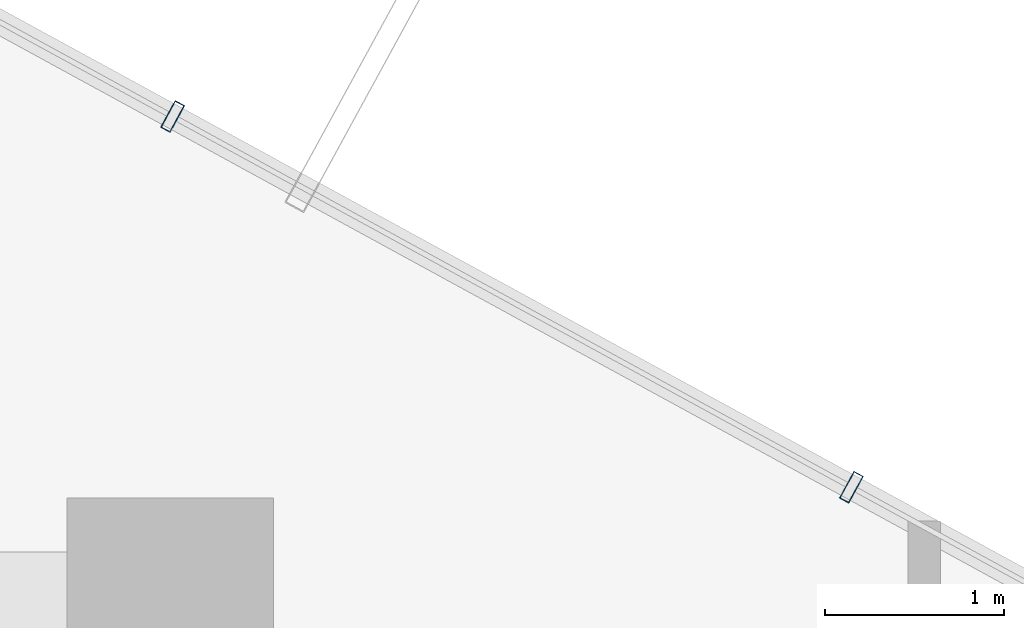
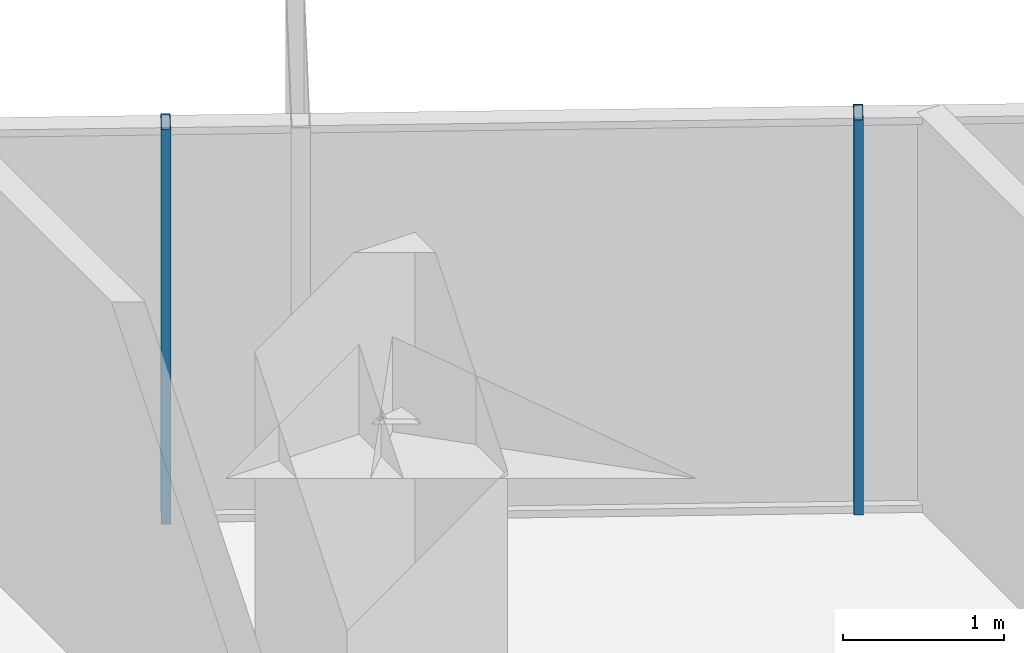
# One storey, part 21 of 31: 2 members, 1 element without a shape of its own.
"""IFC4 building model written with IfcOpenShell, lengths in metres."""

import ifcopenshell
import ifcopenshell.guid

model = None  # the IFC model being written
_history = None  # IfcOwnerHistory: only IFC2X3 demands one
_inside = {}  # id of a spatial element -> (the spatial element, [elements in it])
_under = {}  # id of a project, library or spatial element -> (it, [spatial elements below it])
_declared = {}  # id of a project -> (the project, [libraries it declares])
_typed = {}  # id of a type object -> (the type object, [elements of that type])
_made_of = {}  # id of a material, layer set ... -> (it, [elements and type objects made of it])


def new_model(schema):
    """Start an empty IFC model of exactly this schema.

    Asked for "IFC4X3", IfcOpenShell would pick the latest addendum, in which some entities
    have other attributes; the version numbers below select the first issue.
    IFC2X3 requires an IfcOwnerHistory on every rooted entity: one is made here for all.
    """
    global model, _history
    if schema == "IFC4X3":
        model = ifcopenshell.file(schema_version=(4, 3, 0, 0))
    else:
        model = ifcopenshell.file(schema=schema)
    _inside.clear()
    _under.clear()
    _declared.clear()
    _typed.clear()
    _made_of.clear()
    _history = None
    if model.schema == "IFC2X3":
        org = make("IfcOrganization", Name="unknown")
        user = make(
            "IfcPersonAndOrganization",
            ThePerson=make("IfcPerson", FamilyName="unknown"),
            TheOrganization=org,
        )
        app = make(
            "IfcApplication",
            ApplicationDeveloper=org,
            Version="unknown",
            ApplicationFullName="unknown",
            ApplicationIdentifier="unknown",
        )
        _history = make(
            "IfcOwnerHistory",
            OwningUser=user,
            OwningApplication=app,
            ChangeAction="ADDED",
            CreationDate=0,
        )
    return model


def make(cls, **values):
    """One entity of the class cls with the attributes given. An attribute that is None is left unset."""
    return model.create_entity(
        cls, **{name: value for name, value in values.items() if value is not None}
    )


def rooted(cls, **values):
    """An entity with a GlobalId (a new one), such as an element, a storey or a relation."""
    return make(cls, GlobalId=ifcopenshell.guid.new(), OwnerHistory=_history, **values)


def si_unit(unit_type, name, prefix=None):
    """IfcSIUnit, for example si_unit("LENGTHUNIT", "METRE", prefix="MILLI")."""
    return make("IfcSIUnit", UnitType=unit_type, Prefix=prefix, Name=name)


def assignment(units):
    """IfcUnitAssignment: the units of a project."""
    return None if units is None else make("IfcUnitAssignment", Units=units)


def point(xyz):
    """IfcCartesianPoint."""
    return None if xyz is None else make("IfcCartesianPoint", Coordinates=xyz)


def direction(xyz):
    """IfcDirection."""
    return None if xyz is None else make("IfcDirection", DirectionRatios=xyz)


def frame(location, z_axis=None, x_axis=None):
    """IfcAxis2Placement3D, a coordinate frame: its origin and axes. An axis left out is left unset."""
    return make(
        "IfcAxis2Placement3D",
        Location=point(location),
        Axis=direction(z_axis),
        RefDirection=direction(x_axis),
    )


def frame_2d(location, x_axis=None):
    """IfcAxis2Placement2D, a coordinate frame in the plane: its origin and x axis."""
    return make(
        "IfcAxis2Placement2D", Location=point(location), RefDirection=direction(x_axis)
    )


def origin():
    """The frame at (0, 0, 0) with its axes left unset."""
    return frame((0.0, 0.0, 0.0))


def origin_2d():
    """The frame at (0, 0) in the plane with its x axis left unset."""
    return frame_2d((0.0, 0.0))


def place(relative_to, where):
    """IfcLocalPlacement: puts the frame where relative to a parent placement (None: the world)."""
    return make(
        "IfcLocalPlacement", PlacementRelTo=relative_to, RelativePlacement=where
    )


def context(
    kind, dimensions, precision=None, world=None, true_north=None, identifier=None
):
    """IfcGeometricRepresentationContext, for example the 3D "Model" context."""
    return make(
        "IfcGeometricRepresentationContext",
        ContextIdentifier=identifier,
        ContextType=kind,
        CoordinateSpaceDimension=dimensions,
        Precision=precision,
        WorldCoordinateSystem=world,
        TrueNorth=true_north,
    )


def subcontext(parent, identifier, kind, view, scale=None):
    """IfcGeometricRepresentationSubContext, for example "Body" below "Model"."""
    return make(
        "IfcGeometricRepresentationSubContext",
        ContextIdentifier=identifier,
        ContextType=kind,
        ParentContext=parent,
        TargetScale=scale,
        TargetView=view,
    )


def project(units=None, contexts=None):
    """IfcProject with its units and contexts."""
    return rooted(
        "IfcProject",
        Name="project",
        RepresentationContexts=contexts,
        UnitsInContext=assignment(units),
    )


def spatial(cls, under=None, at=None, **own):
    """A site, building, storey or space (cls), placed at a placement, below another one or the project."""
    s = rooted(cls, ObjectPlacement=at, **own)
    if under is not None:
        _under.setdefault(under.id(), (under, []))[1].append(s)
    return s


def profile(cls, at=None, kind="AREA", **sizes):
    """A parametric profile (cls). Its sizes go by their IFC names, for example OverallWidth=200.0."""
    return make(cls, ProfileType=kind, Position=at, **sizes)


def hollow_rectangle(**sizes):
    """IfcRectangleHollowProfileDef."""
    return profile("IfcRectangleHollowProfileDef", **sizes)


def extrude(swept, where, along, depth):
    """IfcExtrudedAreaSolid: the profile swept, set in the frame where, extruded along a direction by depth."""
    return make(
        "IfcExtrudedAreaSolid",
        SweptArea=swept,
        Position=where,
        ExtrudedDirection=direction(along),
        Depth=depth,
    )


def shape(context_of_items, identifier, shape_type, items):
    """IfcShapeRepresentation: the items that make up one representation, for example the "Body"."""
    return make(
        "IfcShapeRepresentation",
        ContextOfItems=context_of_items,
        RepresentationIdentifier=identifier,
        RepresentationType=shape_type,
        Items=items,
    )


def source(mapping_origin, context_of_items, identifier, shape_type, items):
    """IfcRepresentationMap: a shape defined once, which mapped items show again and again."""
    return make(
        "IfcRepresentationMap",
        MappingOrigin=mapping_origin,
        MappedRepresentation=shape(context_of_items, identifier, shape_type, items),
    )


def transform(
    local_origin,
    x_axis=None,
    y_axis=None,
    z_axis=None,
    scale=None,
    scale2=None,
    scale3=None,
    uniform=True,
):
    """IfcCartesianTransformationOperator3D, or its non-uniform kind. x_axis, y_axis, z_axis: its Axis1, 2, 3."""
    if uniform:
        return make(
            "IfcCartesianTransformationOperator3D",
            Axis1=direction(x_axis),
            Axis2=direction(y_axis),
            LocalOrigin=point(local_origin),
            Scale=scale,
            Axis3=direction(z_axis),
        )
    return make(
        "IfcCartesianTransformationOperator3DnonUniform",
        Axis1=direction(x_axis),
        Axis2=direction(y_axis),
        LocalOrigin=point(local_origin),
        Scale=scale,
        Axis3=direction(z_axis),
        Scale2=scale2,
        Scale3=scale3,
    )


def mapped(mapping_source, mapping_target):
    """IfcMappedItem: shows the shape of a source again, moved by a transform."""
    return make(
        "IfcMappedItem", MappingSource=mapping_source, MappingTarget=mapping_target
    )


def material(Name=None, Category=None):
    """IfcMaterial."""
    return make("IfcMaterial", Name=Name, Category=Category)


def layer(
    of_material, thickness, ventilated=None, Name=None, Category=None, Priority=None
):
    """IfcMaterialLayer: one layer of a wall or slab, of a material (None: an air gap)."""
    return make(
        "IfcMaterialLayer",
        Material=of_material,
        LayerThickness=thickness,
        IsVentilated=ventilated,
        Name=Name,
        Category=Category,
        Priority=Priority,
    )


def layer_set(layers, Name=None):
    """IfcMaterialLayerSet."""
    return make("IfcMaterialLayerSet", MaterialLayers=layers, LayerSetName=Name)


def material_profile(
    of_material, cross_section, Name=None, Category=None, Priority=None
):
    """IfcMaterialProfile: a cross section and its material."""
    return make(
        "IfcMaterialProfile",
        Name=Name,
        Material=of_material,
        Profile=cross_section,
        Priority=Priority,
        Category=Category,
    )


def profile_set(profiles, Name=None, composite=None):
    """IfcMaterialProfileSet."""
    return make(
        "IfcMaterialProfileSet",
        Name=Name,
        MaterialProfiles=profiles,
        CompositeProfile=composite,
    )


def made_of(thing, what):
    """Note that an element or type object is made of a material, layer set ...; save() writes the relation."""
    if what is not None:
        _made_of.setdefault(what.id(), (what, []))[1].append(thing)
    return thing


def type_object(cls, material=None, **own):
    """A type object (cls), such as IfcWallType, which elements share."""
    return made_of(rooted(cls, **own), material)


def element(
    cls,
    number,
    at=None,
    inside=None,
    cuts=None,
    type_object=None,
    material=None,
    context=None,
    identifier="Body",
    shape_type=None,
    held_by="IfcProductDefinitionShape",
    body=None,
    shapes=None,
    **own,
):
    """One element of the class cls, such as IfcWall. Its Tag is "e" and its number.

    at: its placement. inside: the storey or other place that contains it. cuts: it is an
    opening in that element (IfcRelVoidsElement). A single representation is given by context,
    identifier, shape_type and body (its items); several are given by shapes. held_by: the class
    of the entity that holds the representations. save() writes the other relations.
    """
    e = rooted(cls, Tag="e%d" % number, ObjectPlacement=at, **own)
    if body is not None:
        shapes = [shape(context, identifier, shape_type, body)]
    if shapes is not None:
        e.Representation = make(held_by, Representations=shapes)
    if inside is not None:
        _inside.setdefault(inside.id(), (inside, []))[1].append(e)
    if cuts is not None:
        rooted(
            "IfcRelVoidsElement", RelatingBuildingElement=cuts, RelatedOpeningElement=e
        )
    if type_object is not None:
        _typed.setdefault(type_object.id(), (type_object, []))[1].append(e)
    return made_of(e, material)


def aggregate(whole, parts):
    """IfcRelAggregates: a whole, such as a stair, and the parts it consists of."""
    return rooted("IfcRelAggregates", RelatingObject=whole, RelatedObjects=parts)


def save(model, path):
    """Write the relations noted so far, then the file.

    IfcRelAggregates (storeys below a building ...), IfcRelContainedInSpatialStructure (elements
    in a storey), IfcRelDefinesByType, IfcRelAssociatesMaterial and IfcRelDeclares: one each for
    every whole, place, type object, material and project.
    """
    for whole, parts in _under.values():
        aggregate(whole, parts)
    for where, things in _inside.values():
        rooted(
            "IfcRelContainedInSpatialStructure",
            RelatedElements=things,
            RelatingStructure=where,
        )
    for kind, things in _typed.values():
        rooted("IfcRelDefinesByType", RelatedObjects=things, RelatingType=kind)
    for what, things in _made_of.values():
        rooted("IfcRelAssociatesMaterial", RelatedObjects=things, RelatingMaterial=what)
    for by, libraries in _declared.values():
        rooted("IfcRelDeclares", RelatingContext=by, RelatedDefinitions=libraries)
    model.write(path)


model = new_model("IFC4")

# Units and contexts
model_context = context("Model", 3, precision=1e-05, world=origin(), true_north=direction((0.0, 1.0)))
body_context = subcontext(model_context, "Body", "Model", "MODEL_VIEW")
ifc_project = project(units=[si_unit("LENGTHUNIT", "METRE"), si_unit("AREAUNIT", "SQUARE_METRE"), si_unit("VOLUMEUNIT", "CUBIC_METRE"), si_unit("PLANEANGLEUNIT", "RADIAN"), si_unit("MASSUNIT", "GRAM", prefix="KILO")], contexts=[model_context])

# Site, building, storey
site_placement = place(None, origin())
site = spatial("IfcSite", under=ifc_project, at=site_placement, CompositionType="ELEMENT")
building_placement = place(site_placement, origin())
building = spatial("IfcBuilding", under=site, at=building_placement, Name="Veraguas Prism Commons", CompositionType="ELEMENT")
storey_placement = place(building_placement, frame((0.0, 0.0, 132.75)))
storey = spatial("IfcBuildingStorey", under=building, at=storey_placement, Name="L37", CompositionType="ELEMENT", Elevation=132.75)

# Curtain wall, members
ifc_material = material(Name="Anodised aluminium EN AW-6063 T6", Category="aluminium")
ifc_layer = layer(ifc_material, 0.169921875, Name="Unitised Flush Curtain Wall Zone 2", Category="aluminium")
ifc_layer_set = layer_set([ifc_layer], Name="Anodised aluminium EN AW-6063 T6")
curtain_wall_type = type_object("IfcCurtainWallType", Name="Unitised Flush Curtain Wall Zone 2", PredefinedType="NOTDEFINED", material=ifc_layer_set)
curtain_wall_placement = place(storey_placement, origin())
curtain_wall = element("IfcCurtainWall", 1, at=curtain_wall_placement, inside=storey, type_object=curtain_wall_type, Name="Tower Facade Curtain Wall L37-F1", PredefinedType="NOTDEFINED")
ifc_material_profile = material_profile(ifc_material, hollow_rectangle(XDim=0.06005859375, YDim=0.169921875, WallThickness=0.00390625, at=origin_2d()), Name="AL60X170X4")
ifc_profile_set = profile_set([ifc_material_profile], Name="Anodised aluminium EN AW-6063 T6")
member_type = type_object("IfcMemberType", Name="Curtain Wall Mullion Lower AL 60x170x4", PredefinedType="MULLION", material=ifc_profile_set)
shared_shape = source(origin(), body_context, "Body", "SweptSolid", [
    extrude(hollow_rectangle(XDim=0.06005859375, YDim=0.169921875, WallThickness=0.00390625, at=origin_2d()), origin(), (0.0, 0.0, 1.0), 3.0),
])
member_1_placement = place(storey_placement, frame((33.1943359375, 40.83544921875, 0.0), z_axis=(0.0, 0.0, 1.0), x_axis=(-0.877648571535, 0.479304688984, 0.0)))
member_1 = element("IfcMember", 2, at=member_1_placement, type_object=member_type, Name="CW-Z2 Mullion 3", PredefinedType="MULLION", context=body_context, shape_type="MappedRepresentation", body=[
    mapped(shared_shape, transform((0.0, 0.0, 0.0), scale=1.0)),
])
member_2_placement = place(storey_placement, frame((29.412841796875, 42.900634765625, 0.0), z_axis=(0.0, 0.0, 1.0), x_axis=(-0.877648571535, 0.479304688984, 0.0)))
member_2 = element("IfcMember", 3, at=member_2_placement, type_object=member_type, Name="CW-Z2 Mullion 4", PredefinedType="MULLION", context=body_context, shape_type="MappedRepresentation", body=[
    mapped(shared_shape, transform((0.0, 0.0, 0.0), scale=1.0)),
])
aggregate(curtain_wall, [member_1, member_2])

save(model, "model.ifc")
